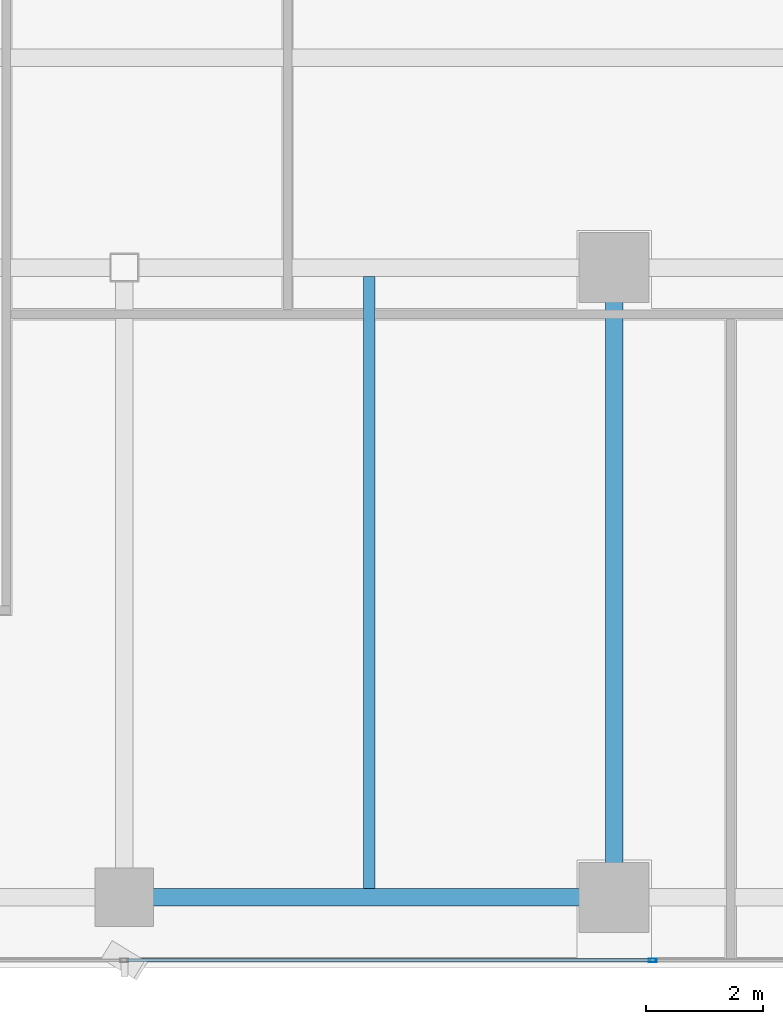
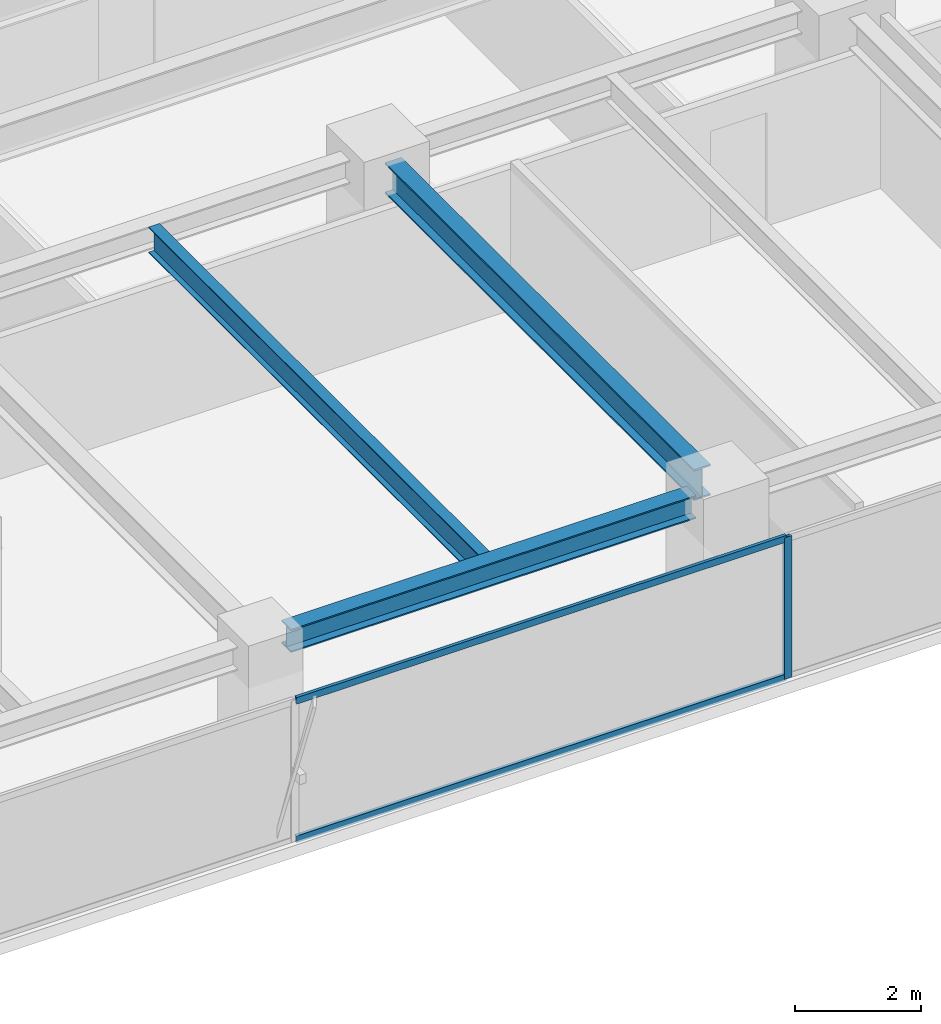
# One storey, part 7 of 25: 3 beams, 3 members, 1 element without a shape of its own.
"""IFC4 building model written with IfcOpenShell, lengths in metres."""

from ifc_helpers import new_model, si_unit, direction, frame, origin, origin_2d, place, context, subcontext, project, spatial, hollow_rectangle, i_section, extrude, source, transform, mapped, material, layer, layer_set, material_profile, profile_set, type_object, element, aggregate, save


model = new_model("IFC4")

# Units and contexts
model_context = context("Model", 3, precision=1e-05, world=origin(), true_north=direction((0.0, 1.0)))
body_context = subcontext(model_context, "Body", "Model", "MODEL_VIEW")
ifc_project = project(units=[si_unit("LENGTHUNIT", "METRE"), si_unit("AREAUNIT", "SQUARE_METRE"), si_unit("VOLUMEUNIT", "CUBIC_METRE"), si_unit("PLANEANGLEUNIT", "RADIAN"), si_unit("MASSUNIT", "GRAM", prefix="KILO")], contexts=[model_context])

# Site, building, storey
site_placement = place(None, origin())
site = spatial("IfcSite", under=ifc_project, at=site_placement, CompositionType="ELEMENT")
building_placement = place(site_placement, origin())
building = spatial("IfcBuilding", under=site, at=building_placement, Name="Sumidabori Civic Tower", CompositionType="ELEMENT")
storey_placement = place(building_placement, frame((0.0, 0.0, 246.800048828125)))
storey = spatial("IfcBuildingStorey", under=building, at=storey_placement, Name="L64", CompositionType="ELEMENT", Elevation=246.800048828125)

# Beams
ifc_material_1 = material(Name="Steel SN490", Category="steel")
ifc_material_profile_1 = material_profile(ifc_material_1, i_section(OverallWidth=0.300048828125, OverallDepth=0.60009765625, WebThickness=0.015380859375, FlangeThickness=0.030029296875, at=origin_2d()), Name="HE 600 B")
ifc_profile_set_1 = profile_set([ifc_material_profile_1], Name="Steel SN490")
beam_type_1 = type_object("IfcBeamType", Name="BM-GIRD-600", PredefinedType="BEAM", material=ifc_profile_set_1)
shared_shape_1 = source(origin(), body_context, "Body", "SweptSolid", [
    extrude(i_section(OverallWidth=0.300048828125, OverallDepth=0.60009765625, WebThickness=0.015380859375, FlangeThickness=0.030029296875, at=origin_2d()), origin(), (0.0, 0.0, 1.0), 9.840087890625),
])
beam_1_placement = place(storey_placement, frame((8.39990234375, -10.320068359375, 3.070068359375), z_axis=(0.0, 1.0, 0.0), x_axis=(-1.0, 0.0, 0.0)))
element("IfcBeam", 1, at=beam_1_placement, inside=storey, type_object=beam_type_1, Name="Primary Girder L64 GY-14", PredefinedType="BEAM", context=body_context, shape_type="MappedRepresentation", body=[
    mapped(shared_shape_1, transform((0.0, 0.0, 0.0), x_axis=(1.0, 0.0, 0.0), y_axis=(0.0, 1.0, 0.0), z_axis=(0.0, 0.0, 1.0), scale=1.0)),
])
ifc_material_profile_2 = material_profile(ifc_material_1, i_section(OverallWidth=0.300048828125, OverallDepth=0.449951171875, WebThickness=0.013916015625, FlangeThickness=0.02587890625, at=origin_2d()), Name="HE 450 B")
ifc_profile_set_2 = profile_set([ifc_material_profile_2], Name="Steel SN490")
beam_type_2 = type_object("IfcBeamType", Name="BM-GIRD-450", PredefinedType="BEAM", material=ifc_profile_set_2)
shared_shape_2 = source(origin(), body_context, "Body", "SweptSolid", [
    extrude(i_section(OverallWidth=0.300048828125, OverallDepth=0.449951171875, WebThickness=0.013916015625, FlangeThickness=0.02587890625, at=origin_2d()), origin(), (0.0, 0.0, 1.0), 7.43994140625),
])
beam_2_placement = place(storey_placement, frame((0.47998046875, -10.800048828125, 3.14501953125), z_axis=(1.0, 0.0, 0.0), x_axis=(0.0, 1.0, 0.0)))
element("IfcBeam", 2, at=beam_2_placement, inside=storey, type_object=beam_type_2, Name="Primary Girder L64 GX-03", PredefinedType="BEAM", context=body_context, shape_type="MappedRepresentation", body=[
    mapped(shared_shape_2, transform((0.0, 0.0, 0.0), x_axis=(1.0, 0.0, 0.0), y_axis=(0.0, 1.0, 0.0), z_axis=(0.0, 0.0, 1.0), scale=1.0)),
])
ifc_material_profile_3 = material_profile(ifc_material_1, i_section(OverallWidth=0.199951171875, OverallDepth=0.5, WebThickness=0.01025390625, FlangeThickness=0.01611328125, at=origin_2d()), Name="IPE 500")
ifc_profile_set_3 = profile_set([ifc_material_profile_3], Name="Steel SN490")
beam_type_3 = type_object("IfcBeamType", Name="BM-JST-500", PredefinedType="JOIST", material=ifc_profile_set_3)
shared_shape_3 = source(origin(), body_context, "Body", "SweptSolid", [
    extrude(i_section(OverallWidth=0.199951171875, OverallDepth=0.5, WebThickness=0.01025390625, FlangeThickness=0.01611328125, at=origin_2d()), origin(), (0.0, 0.0, 1.0), 10.5),
])
beam_3_placement = place(storey_placement, frame((4.199951171875, -10.64990234375, 3.119873046875), z_axis=(0.0, 1.0, 0.0), x_axis=(-1.0, 0.0, 0.0)))
element("IfcBeam", 3, at=beam_3_placement, inside=storey, type_object=beam_type_3, Name="Upper Lens N-S Floor Joist L64 JSTV-22", PredefinedType="JOIST", context=body_context, shape_type="MappedRepresentation", body=[
    mapped(shared_shape_3, transform((0.0, 0.0, 0.0), x_axis=(1.0, 0.0, 0.0), y_axis=(0.0, 1.0, 0.0), z_axis=(0.0, 0.0, 1.0), scale=1.0)),
])

# Curtain wall, members
ifc_material_2 = material(Name="Anodised Bronze Aluminium AW-6063-T6", Category="aluminium")
ifc_layer = layer(ifc_material_2, 0.179931640625, Name="Anodised Bronze Aluminium AW-6063-T6")
ifc_layer_set = layer_set([ifc_layer], Name="Anodised Bronze Aluminium AW-6063-T6")
curtain_wall_type = type_object("IfcCurtainWallType", Name="CW-SYS-5", PredefinedType="NOTDEFINED", material=ifc_layer_set)
curtain_wall_placement = place(storey_placement, origin())
curtain_wall = element("IfcCurtainWall", 4, at=curtain_wall_placement, inside=storey, type_object=curtain_wall_type, Name="Curtain Wall CW:L64:R01", PredefinedType="NOTDEFINED")
ifc_material_profile_4 = material_profile(ifc_material_2, hollow_rectangle(XDim=0.06005859375, YDim=0.139892578125, WallThickness=0.0048828125, at=origin_2d()), Name="ALU MULLION 140x60")
ifc_profile_set_4 = profile_set([ifc_material_profile_4], Name="Anodised Bronze Aluminium AW-6063-T6")
member_type_1 = type_object("IfcMemberType", Name="CW-MUL-140", PredefinedType="MULLION", material=ifc_profile_set_4)
shared_shape_4 = source(origin(), body_context, "Body", "SweptSolid", [
    extrude(hollow_rectangle(XDim=0.06005859375, YDim=0.139892578125, WallThickness=0.0048828125, at=origin_2d()), origin(), (0.0, 0.0, 1.0), 2.75),
])
member_1_placement = place(storey_placement, frame((9.06005859375, -11.8798828125, 0.0), z_axis=(0.0, 0.0, 1.0), x_axis=(0.0, 1.0, 0.0)))
member_1 = element("IfcMember", 5, at=member_1_placement, type_object=member_type_1, Name="CW-5 mullion 4", PredefinedType="MULLION", context=body_context, shape_type="MappedRepresentation", body=[
    mapped(shared_shape_4, transform((0.0, 0.0, 0.0), x_axis=(1.0, 0.0, 0.0), y_axis=(0.0, 1.0, 0.0), z_axis=(0.0, 0.0, 1.0), scale=1.0)),
])
ifc_material_profile_5 = material_profile(ifc_material_2, hollow_rectangle(XDim=0.06005859375, YDim=0.1298828125, WallThickness=0.0048828125, at=origin_2d()), Name="ALU TRANSOM 130x60")
ifc_profile_set_5 = profile_set([ifc_material_profile_5], Name="Anodised Bronze Aluminium AW-6063-T6")
member_type_2 = type_object("IfcMemberType", Name="CW-TRN-130", PredefinedType="USERDEFINED", material=ifc_profile_set_5)
shared_shape_5 = source(origin(), body_context, "Body", "SweptSolid", [
    extrude(hollow_rectangle(XDim=0.06005859375, YDim=0.1298828125, WallThickness=0.0048828125, at=origin_2d()), origin(), (0.0, 0.0, 1.0), 9.0),
])
member_2_placement = place(storey_placement, frame((0.030029296875, -11.8798828125, 0.030029296875), z_axis=(1.0, 0.0, 0.0), x_axis=(0.0, 1.0, 0.0)))
member_2 = element("IfcMember", 6, at=member_2_placement, type_object=member_type_2, Name="CW-5 transom 3.1", ObjectType="TRANSOM", PredefinedType="USERDEFINED", context=body_context, shape_type="MappedRepresentation", body=[
    mapped(shared_shape_5, transform((0.0, 0.0, 0.0), x_axis=(1.0, 0.0, 0.0), y_axis=(0.0, 1.0, 0.0), z_axis=(0.0, 0.0, 1.0), scale=1.0)),
])
member_3_placement = place(storey_placement, frame((0.030029296875, -11.8798828125, 2.719970703125), z_axis=(1.0, 0.0, 0.0), x_axis=(0.0, 1.0, 0.0)))
member_3 = element("IfcMember", 7, at=member_3_placement, type_object=member_type_2, Name="CW-5 transom 3.2", ObjectType="TRANSOM", PredefinedType="USERDEFINED", context=body_context, shape_type="MappedRepresentation", body=[
    mapped(shared_shape_5, transform((0.0, 0.0, 0.0), x_axis=(1.0, 0.0, 0.0), y_axis=(0.0, 1.0, 0.0), z_axis=(0.0, 0.0, 1.0), scale=1.0)),
])
aggregate(curtain_wall, [member_1, member_2, member_3])

save(model, "model.ifc")
